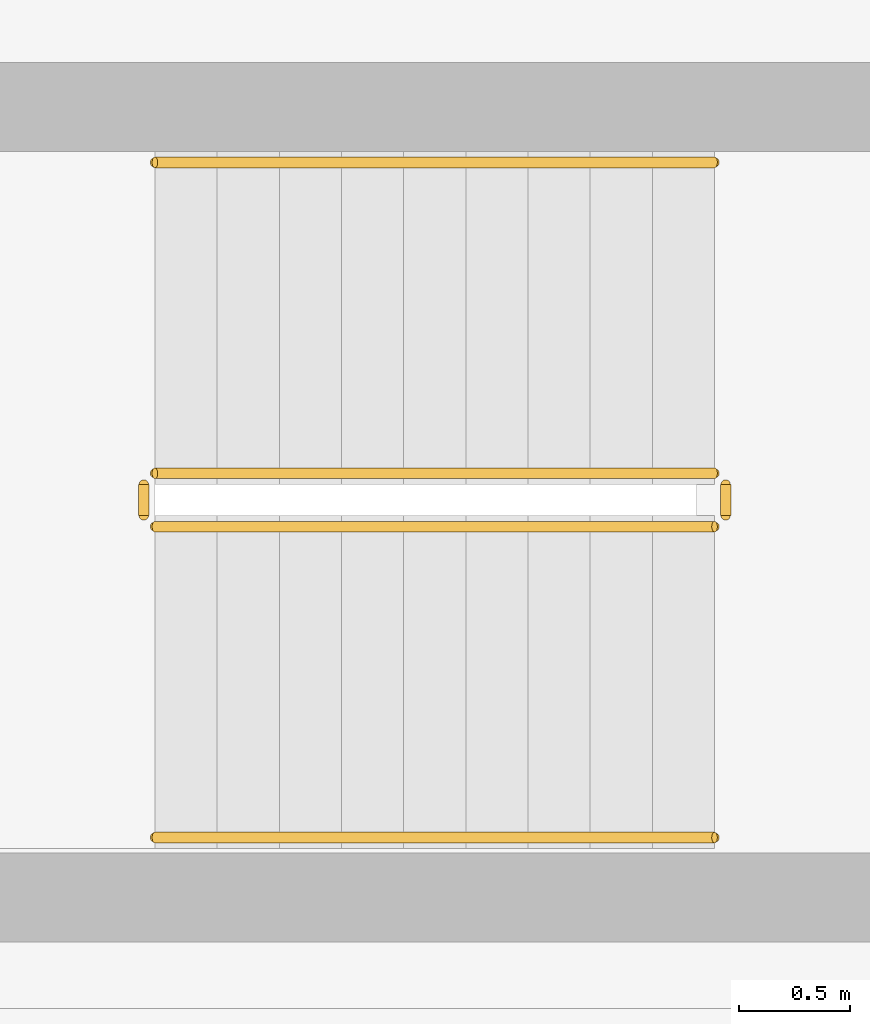
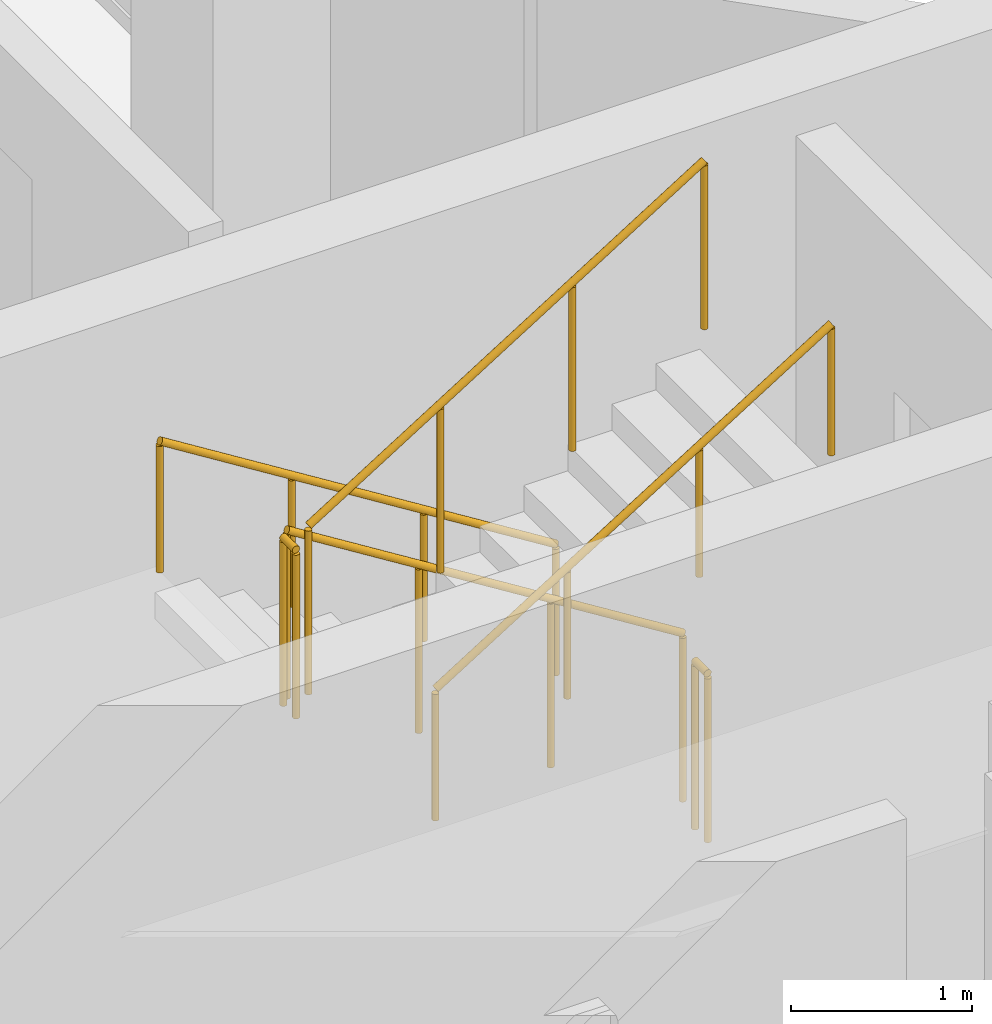
# One storey, part 11 of 14: 6 railings.
"""IFC4 building model written with IfcOpenShell, lengths in metres."""

from ifc_helpers import new_model, si_unit, derived_unit, direction, frame, origin, origin_2d, place, context, subcontext, project, spatial, circle, extrude, material, type_object, element, save


model = new_model("IFC4")

# Units and contexts
model_context = context("Model", 3, precision=1e-05, world=origin(), true_north=direction((0.0, 1.0)))
body_context = subcontext(model_context, "Body", "Model", "MODEL_VIEW")
ifc_project = project(units=[si_unit("LENGTHUNIT", "METRE"), si_unit("AREAUNIT", "SQUARE_METRE"), si_unit("VOLUMEUNIT", "CUBIC_METRE"), si_unit("PLANEANGLEUNIT", "RADIAN"), si_unit("MASSUNIT", "GRAM", prefix="KILO"), derived_unit("THERMALTRANSMITTANCEUNIT", [(si_unit("POWERUNIT", "WATT"), 1), (si_unit("LENGTHUNIT", "METRE"), -2), (si_unit("THERMODYNAMICTEMPERATUREUNIT", "KELVIN"), -1)])], contexts=[model_context])

# Site, building, storey
site_placement = place(None, origin())
site = spatial("IfcSite", under=ifc_project, at=site_placement, CompositionType="ELEMENT")
building_placement = place(site_placement, origin())
building = spatial("IfcBuilding", under=site, at=building_placement, Name="Kivonza Crest Hotel", CompositionType="ELEMENT")
storey_placement = place(building_placement, frame((0.0, 0.0, 159.0)))
storey = spatial("IfcBuildingStorey", under=building, at=storey_placement, Name="L43", CompositionType="ELEMENT", Elevation=159.0)

# Railings
ifc_material_1 = material(Name="Brushed stainless steel handrail", Category="steel")
railing_type_1 = type_object("IfcRailingType", Name="RL-HAND-900", PredefinedType="HANDRAIL", material=ifc_material_1)
railing_1_placement = place(storey_placement, frame((12.239990234375, 16.949951171875, 0.175048828125)))
element("IfcRailing", 1, at=railing_1_placement, inside=storey, type_object=railing_type_1, Name="L43 ST-T1-S stair handrail 1", PredefinedType="HANDRAIL", context=body_context, shape_type="SweptSolid", body=[
    extrude(circle(Radius=0.02392578125, at=origin_2d()), frame((0.0, 0.0, 0.8759765625), z_axis=(-0.848007534815, 0.0, 0.529984170421), x_axis=(0.0, -1.0, 0.0)), (0.0, 0.0, 1.0), 2.9716796875),
    extrude(circle(Radius=0.02099609375, at=origin_2d()), origin(), (0.0, 0.0, 1.0), 0.851806640625),
    extrude(circle(Radius=0.02099609375, at=origin_2d()), frame((-0.840087890625, 0.0, 0.52490234375)), (0.0, 0.0, 1.0), 0.851806640625),
    extrude(circle(Radius=0.02099609375, at=origin_2d()), frame((-1.679931640625, 0.0, 1.050048828125)), (0.0, 0.0, 1.0), 0.851806640625),
    extrude(circle(Radius=0.02099609375, at=origin_2d()), frame((-2.52001953125, 0.0, 1.574951171875)), (0.0, 0.0, 1.0), 0.851806640625),
])
railing_2_placement = place(storey_placement, frame((9.719970703125, 13.909912109375, 1.925048828125)))
element("IfcRailing", 2, at=railing_2_placement, inside=storey, type_object=railing_type_1, Name="L43 ST-T1-S stair handrail 2", PredefinedType="HANDRAIL", context=body_context, shape_type="SweptSolid", body=[
    extrude(circle(Radius=0.02392578125, at=origin_2d()), frame((0.0, 0.0, 0.8759765625), z_axis=(0.848007534815, 0.0, 0.529984170421), x_axis=(0.0, 1.0, 0.0)), (0.0, 0.0, 1.0), 2.9716796875),
    extrude(circle(Radius=0.02099609375, at=origin_2d()), origin(), (0.0, 0.0, 1.0), 0.851806640625),
    extrude(circle(Radius=0.02099609375, at=origin_2d()), frame((0.840087890625, 0.0, 0.52490234375)), (0.0, 0.0, 1.0), 0.851806640625),
    extrude(circle(Radius=0.02099609375, at=origin_2d()), frame((1.679931640625, 0.0, 1.050048828125)), (0.0, 0.0, 1.0), 0.851806640625),
    extrude(circle(Radius=0.02099609375, at=origin_2d()), frame((2.52001953125, 0.0, 1.574951171875)), (0.0, 0.0, 1.0), 0.851806640625),
])
ifc_material_2 = material(Name="Painted steel balustrade", Category="steel")
railing_type_2 = type_object("IfcRailingType", Name="RL-STAIR-1150", PredefinedType="BALUSTRADE", material=ifc_material_2)
railing_3_placement = place(storey_placement, frame((12.239990234375, 15.550048828125, 0.175048828125)))
element("IfcRailing", 3, at=railing_3_placement, inside=storey, type_object=railing_type_2, Name="L43 ST-T1-S stair guard 1", PredefinedType="BALUSTRADE", context=body_context, shape_type="SweptSolid", body=[
    extrude(circle(Radius=0.02392578125, at=origin_2d()), frame((0.0, 0.0, 1.1259765625), z_axis=(-0.848007534815, 0.0, 0.529984170421), x_axis=(0.0, -1.0, 0.0)), (0.0, 0.0, 1.0), 2.9716796875),
    extrude(circle(Radius=0.02099609375, at=origin_2d()), origin(), (0.0, 0.0, 1.0), 1.101806640625),
    extrude(circle(Radius=0.02099609375, at=origin_2d()), frame((-0.840087890625, 0.0, 0.52490234375)), (0.0, 0.0, 1.0), 1.101806640625),
    extrude(circle(Radius=0.02099609375, at=origin_2d()), frame((-1.679931640625, 0.0, 1.050048828125)), (0.0, 0.0, 1.0), 1.101806640625),
    extrude(circle(Radius=0.02099609375, at=origin_2d()), frame((-2.52001953125, 0.0, 1.574951171875)), (0.0, 0.0, 1.0), 1.101806640625),
])
railing_4_placement = place(storey_placement, frame((9.669921875, 15.5, 1.75)))
element("IfcRailing", 4, at=railing_4_placement, inside=storey, type_object=railing_type_2, Name="L43 ST-T1-S stair guard 2", PredefinedType="BALUSTRADE", context=body_context, shape_type="SweptSolid", body=[
    extrude(circle(Radius=0.02392578125, at=origin_2d()), frame((0.0, 0.0, 1.1259765625), z_axis=(0.0, -1.0, 0.0), x_axis=(1.0, 0.0, 0.0)), (0.0, 0.0, 1.0), 0.139892578125),
    extrude(circle(Radius=0.02099609375, at=origin_2d()), origin(), (0.0, 0.0, 1.0), 1.101806640625),
    extrude(circle(Radius=0.02099609375, at=origin_2d()), frame((0.0, -0.139892578125, 0.0)), (0.0, 0.0, 1.0), 1.101806640625),
])
railing_5_placement = place(storey_placement, frame((9.719970703125, 15.31005859375, 1.925048828125)))
element("IfcRailing", 5, at=railing_5_placement, inside=storey, type_object=railing_type_2, Name="L43 ST-T1-S stair guard 3", PredefinedType="BALUSTRADE", context=body_context, shape_type="SweptSolid", body=[
    extrude(circle(Radius=0.02392578125, at=origin_2d()), frame((0.0, 0.0, 1.1259765625), z_axis=(0.848007534815, 0.0, 0.529984170421), x_axis=(0.0, 1.0, 0.0)), (0.0, 0.0, 1.0), 2.9716796875),
    extrude(circle(Radius=0.02099609375, at=origin_2d()), origin(), (0.0, 0.0, 1.0), 1.101806640625),
    extrude(circle(Radius=0.02099609375, at=origin_2d()), frame((0.840087890625, 0.0, 0.52490234375)), (0.0, 0.0, 1.0), 1.101806640625),
    extrude(circle(Radius=0.02099609375, at=origin_2d()), frame((1.679931640625, 0.0, 1.050048828125)), (0.0, 0.0, 1.0), 1.101806640625),
    extrude(circle(Radius=0.02099609375, at=origin_2d()), frame((2.52001953125, 0.0, 1.574951171875)), (0.0, 0.0, 1.0), 1.101806640625),
])
railing_6_placement = place(storey_placement, frame((12.2900390625, 15.5, 0.0)))
element("IfcRailing", 6, at=railing_6_placement, inside=storey, type_object=railing_type_2, Name="L43 ST-T1-S stair guard 4", PredefinedType="BALUSTRADE", context=body_context, shape_type="SweptSolid", body=[
    extrude(circle(Radius=0.02392578125, at=origin_2d()), frame((0.0, 0.0, 1.1259765625), z_axis=(0.0, -1.0, 0.0), x_axis=(1.0, 0.0, 0.0)), (0.0, 0.0, 1.0), 0.139892578125),
    extrude(circle(Radius=0.02099609375, at=origin_2d()), origin(), (0.0, 0.0, 1.0), 1.101806640625),
    extrude(circle(Radius=0.02099609375, at=origin_2d()), frame((0.0, -0.139892578125, 0.0)), (0.0, 0.0, 1.0), 1.101806640625),
])

save(model, "model.ifc")
